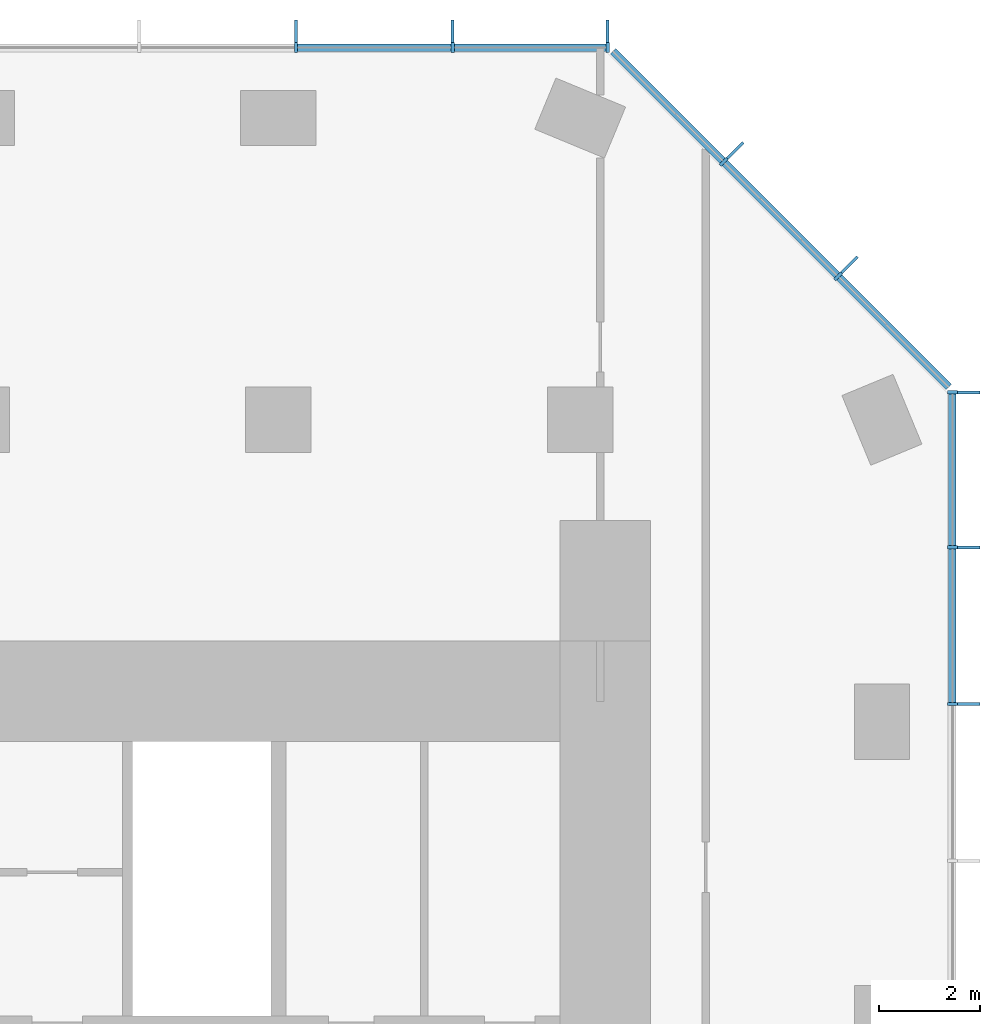
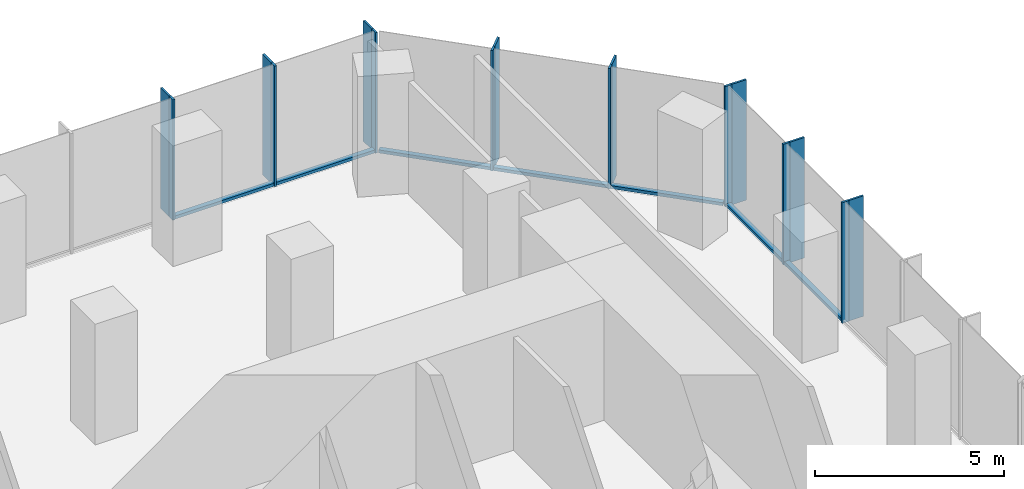
# One storey, part 6 of 11: 23 members, 3 elements without a shape of their own.
"""IFC4 building model written with IfcOpenShell, lengths in metres."""

from ifc_helpers import new_model, si_unit, direction, frame, origin, origin_2d, place, context, subcontext, project, spatial, rectangle, extrude, material, layer, layer_set, material_profile, profile_set, type_object, element, aggregate, save


model = new_model("IFC4")

# Units and contexts
model_context = context("Model", 3, precision=1e-05, world=origin(), true_north=direction((0.0, 1.0)))
body_context = subcontext(model_context, "Body", "Model", "MODEL_VIEW")
ifc_project = project(units=[si_unit("LENGTHUNIT", "METRE"), si_unit("AREAUNIT", "SQUARE_METRE"), si_unit("VOLUMEUNIT", "CUBIC_METRE"), si_unit("PLANEANGLEUNIT", "RADIAN"), si_unit("MASSUNIT", "GRAM", prefix="KILO")], contexts=[model_context])

# Site, building, storey
site_placement = place(None, origin())
site = spatial("IfcSite", under=ifc_project, at=site_placement, CompositionType="ELEMENT")
building_placement = place(site_placement, origin())
building = spatial("IfcBuilding", under=site, at=building_placement, Name="Highveld Stack Headquarters", CompositionType="ELEMENT")
storey_placement = place(building_placement, frame((0.0, 0.0, 227.89990234375)))
storey = spatial("IfcBuildingStorey", under=building, at=storey_placement, Name="L56", CompositionType="ELEMENT", Elevation=227.89990234375)

# Curtain wall, members
ifc_material_1 = material(Name="Aluminium bronze anodised", Category="aluminium")
ifc_layer_1 = layer(ifc_material_1, 0.199951171875)
ifc_layer_set_1 = layer_set([ifc_layer_1], Name="Aluminium bronze anodised")
curtain_wall_type_1 = type_object("IfcCurtainWallType", Name="CW1 TOWER UNITISED CURTAIN WALL", PredefinedType="NOTDEFINED", material=ifc_layer_set_1)
curtain_wall_1_placement = place(storey_placement, origin())
curtain_wall_1 = element("IfcCurtainWall", 1, at=curtain_wall_1_placement, inside=storey, type_object=curtain_wall_type_1, Name="Curtain wall CW1 L56 E", PredefinedType="NOTDEFINED")
ifc_material_2 = material(Name="Aluminium bronze anodised", Category="aluminium")
ifc_material_profile_1 = material_profile(ifc_material_2, rectangle(XDim=0.449951171875, YDim=0.06005859375, at=origin_2d()), Name="FIN 450x60")
ifc_profile_set_1 = profile_set([ifc_material_profile_1], Name="Aluminium bronze anodised")
member_type_1 = type_object("IfcMemberType", Name="CW1 BRONZE FIN 450x60", PredefinedType="USERDEFINED", material=ifc_profile_set_1)
member_1_placement = place(storey_placement, frame((25.72509765625, 12.347900390625, 0.0), z_axis=(0.0, 0.0, 1.0), x_axis=(-1.0, 0.0, 0.0)))
member_1 = element("IfcMember", 2, at=member_1_placement, type_object=member_type_1, Name="CW1 fin L56 9", ObjectType="FIN", PredefinedType="USERDEFINED", context=body_context, shape_type="SweptSolid", body=[
    extrude(rectangle(XDim=0.449951171875, YDim=0.06005859375, at=origin_2d()), origin(), (0.0, 0.0, 1.0), 3.900146484375),
])
member_2_placement = place(storey_placement, frame((25.72509765625, 15.4638671875, 0.0), z_axis=(0.0, 0.0, 1.0), x_axis=(-1.0, 0.0, 0.0)))
member_2 = element("IfcMember", 3, at=member_2_placement, type_object=member_type_1, Name="CW1 fin L56 10", ObjectType="FIN", PredefinedType="USERDEFINED", context=body_context, shape_type="SweptSolid", body=[
    extrude(rectangle(XDim=0.449951171875, YDim=0.06005859375, at=origin_2d()), origin(), (0.0, 0.0, 1.0), 3.900146484375),
])
member_3_placement = place(storey_placement, frame((25.72509765625, 18.54736328125, 0.0), z_axis=(0.0, 0.0, 1.0), x_axis=(-1.0, 0.0, 0.0)))
member_3 = element("IfcMember", 4, at=member_3_placement, type_object=member_type_1, Name="CW1 fin L56 11", ObjectType="FIN", PredefinedType="USERDEFINED", context=body_context, shape_type="SweptSolid", body=[
    extrude(rectangle(XDim=0.449951171875, YDim=0.06005859375, at=origin_2d()), origin(), (0.0, 0.0, 1.0), 3.900146484375),
])

curtain_wall_2_placement = place(storey_placement, origin())
curtain_wall_2 = element("IfcCurtainWall", 5, at=curtain_wall_2_placement, inside=storey, type_object=curtain_wall_type_1, Name="Curtain wall CW1 L56 N", PredefinedType="NOTDEFINED")
member_4_placement = place(storey_placement, frame((18.54736328125, 25.72509765625, 0.0), z_axis=(0.0, 0.0, 1.0), x_axis=(0.0, -1.0, 0.0)))
member_4 = element("IfcMember", 6, at=member_4_placement, type_object=member_type_1, Name="CW1 fin L56 1", ObjectType="FIN", PredefinedType="USERDEFINED", context=body_context, shape_type="SweptSolid", body=[
    extrude(rectangle(XDim=0.449951171875, YDim=0.06005859375, at=origin_2d()), origin(), (0.0, 0.0, 1.0), 3.900146484375),
])
member_5_placement = place(storey_placement, frame((15.4638671875, 25.72509765625, 0.0), z_axis=(0.0, 0.0, 1.0), x_axis=(0.0, -1.0, 0.0)))
member_5 = element("IfcMember", 7, at=member_5_placement, type_object=member_type_1, Name="CW1 fin L56 2", ObjectType="FIN", PredefinedType="USERDEFINED", context=body_context, shape_type="SweptSolid", body=[
    extrude(rectangle(XDim=0.449951171875, YDim=0.06005859375, at=origin_2d()), origin(), (0.0, 0.0, 1.0), 3.900146484375),
])
member_6_placement = place(storey_placement, frame((12.347900390625, 25.72509765625, 0.0), z_axis=(0.0, 0.0, 1.0), x_axis=(0.0, -1.0, 0.0)))
member_6 = element("IfcMember", 8, at=member_6_placement, type_object=member_type_1, Name="CW1 fin L56 3", ObjectType="FIN", PredefinedType="USERDEFINED", context=body_context, shape_type="SweptSolid", body=[
    extrude(rectangle(XDim=0.449951171875, YDim=0.06005859375, at=origin_2d()), origin(), (0.0, 0.0, 1.0), 3.900146484375),
])

# Member
ifc_material_3 = material(Name="Aluminium bronze anodised", Category="aluminium")
ifc_material_profile_2 = material_profile(ifc_material_3, rectangle(XDim=0.199951171875, YDim=0.06494140625, at=origin_2d()), Name="CW1 MULLION 65x200")
ifc_profile_set_2 = profile_set([ifc_material_profile_2], Name="Aluminium bronze anodised")
member_type_2 = type_object("IfcMemberType", Name="CW1 MULLION 65x200", PredefinedType="MULLION", material=ifc_profile_set_2)
member_7_placement = place(storey_placement, frame((25.39990234375, 12.347900390625, 0.0), z_axis=(0.0, 0.0, 1.0), x_axis=(-1.0, 0.0, 0.0)))
member_7 = element("IfcMember", 9, at=member_7_placement, type_object=member_type_2, Name="CW1 mullion L56 9", PredefinedType="MULLION", context=body_context, shape_type="SweptSolid", body=[
    extrude(rectangle(XDim=0.199951171875, YDim=0.06494140625, at=origin_2d()), origin(), (0.0, 0.0, 1.0), 3.900146484375),
])

member_8_placement = place(storey_placement, frame((25.39990234375, 15.4638671875, 0.0), z_axis=(0.0, 0.0, 1.0), x_axis=(-1.0, 0.0, 0.0)))
member_8 = element("IfcMember", 10, at=member_8_placement, type_object=member_type_2, Name="CW1 mullion L56 10", PredefinedType="MULLION", context=body_context, shape_type="SweptSolid", body=[
    extrude(rectangle(XDim=0.199951171875, YDim=0.06494140625, at=origin_2d()), origin(), (0.0, 0.0, 1.0), 3.900146484375),
])

member_9_placement = place(storey_placement, frame((25.39990234375, 18.54736328125, 0.0), z_axis=(0.0, 0.0, 1.0), x_axis=(-1.0, 0.0, 0.0)))
member_9 = element("IfcMember", 11, at=member_9_placement, type_object=member_type_2, Name="CW1 mullion L56 11", PredefinedType="MULLION", context=body_context, shape_type="SweptSolid", body=[
    extrude(rectangle(XDim=0.199951171875, YDim=0.06494140625, at=origin_2d()), origin(), (0.0, 0.0, 1.0), 3.900146484375),
])

member_10_placement = place(storey_placement, frame((18.54736328125, 25.39990234375, 0.0), z_axis=(0.0, 0.0, 1.0), x_axis=(0.0, -1.0, 0.0)))
member_10 = element("IfcMember", 12, at=member_10_placement, type_object=member_type_2, Name="CW1 mullion L56 1", PredefinedType="MULLION", context=body_context, shape_type="SweptSolid", body=[
    extrude(rectangle(XDim=0.199951171875, YDim=0.06494140625, at=origin_2d()), origin(), (0.0, 0.0, 1.0), 3.900146484375),
])

member_11_placement = place(storey_placement, frame((15.4638671875, 25.39990234375, 0.0), z_axis=(0.0, 0.0, 1.0), x_axis=(0.0, -1.0, 0.0)))
member_11 = element("IfcMember", 13, at=member_11_placement, type_object=member_type_2, Name="CW1 mullion L56 2", PredefinedType="MULLION", context=body_context, shape_type="SweptSolid", body=[
    extrude(rectangle(XDim=0.199951171875, YDim=0.06494140625, at=origin_2d()), origin(), (0.0, 0.0, 1.0), 3.900146484375),
])

member_12_placement = place(storey_placement, frame((12.347900390625, 25.39990234375, 0.0), z_axis=(0.0, 0.0, 1.0), x_axis=(0.0, -1.0, 0.0)))
member_12 = element("IfcMember", 14, at=member_12_placement, type_object=member_type_2, Name="CW1 mullion L56 3", PredefinedType="MULLION", context=body_context, shape_type="SweptSolid", body=[
    extrude(rectangle(XDim=0.199951171875, YDim=0.06494140625, at=origin_2d()), origin(), (0.0, 0.0, 1.0), 3.900146484375),
])

ifc_material_4 = material(Name="Aluminium bronze anodised", Category="aluminium")
ifc_material_profile_3 = material_profile(ifc_material_4, rectangle(XDim=0.14990234375, YDim=0.10009765625, at=origin_2d()), Name="CW1 TRANSOM 150x100")
ifc_profile_set_3 = profile_set([ifc_material_profile_3], Name="Aluminium bronze anodised")
member_type_3 = type_object("IfcMemberType", Name="CW1 STACK TRANSOM 150x100", PredefinedType="USERDEFINED", material=ifc_profile_set_3)
member_13_placement = place(storey_placement, frame((25.39990234375, 12.38037109375, 0.050048828125), z_axis=(0.0, 1.0, 0.0), x_axis=(-1.0, 0.0, 0.0)))
member_13 = element("IfcMember", 15, at=member_13_placement, type_object=member_type_3, Name="CW1 transom L56 9.1", ObjectType="TRANSOM", PredefinedType="USERDEFINED", context=body_context, shape_type="SweptSolid", body=[
    extrude(rectangle(XDim=0.14990234375, YDim=0.10009765625, at=origin_2d()), origin(), (0.0, 0.0, 1.0), 3.051025390625),
])

member_14_placement = place(storey_placement, frame((25.39990234375, 15.496337890625, 0.050048828125), z_axis=(0.0, 1.0, 0.0), x_axis=(-1.0, 0.0, 0.0)))
member_14 = element("IfcMember", 16, at=member_14_placement, type_object=member_type_3, Name="CW1 transom L56 10.1", ObjectType="TRANSOM", PredefinedType="USERDEFINED", context=body_context, shape_type="SweptSolid", body=[
    extrude(rectangle(XDim=0.14990234375, YDim=0.10009765625, at=origin_2d()), origin(), (0.0, 0.0, 1.0), 3.0185546875),
])

aggregate(curtain_wall_1, [member_7, member_1, member_8, member_2, member_9, member_3, member_13, member_14])

member_15_placement = place(storey_placement, frame((18.514892578125, 25.39990234375, 0.050048828125), z_axis=(-1.0, 0.0, 0.0), x_axis=(0.0, -1.0, 0.0)))
member_15 = element("IfcMember", 17, at=member_15_placement, type_object=member_type_3, Name="CW1 transom L56 1.1", ObjectType="TRANSOM", PredefinedType="USERDEFINED", context=body_context, shape_type="SweptSolid", body=[
    extrude(rectangle(XDim=0.14990234375, YDim=0.10009765625, at=origin_2d()), origin(), (0.0, 0.0, 1.0), 3.0185546875),
])

member_16_placement = place(storey_placement, frame((15.431396484375, 25.39990234375, 0.050048828125), z_axis=(-1.0, 0.0, 0.0), x_axis=(0.0, -1.0, 0.0)))
member_16 = element("IfcMember", 18, at=member_16_placement, type_object=member_type_3, Name="CW1 transom L56 2.1", ObjectType="TRANSOM", PredefinedType="USERDEFINED", context=body_context, shape_type="SweptSolid", body=[
    extrude(rectangle(XDim=0.14990234375, YDim=0.10009765625, at=origin_2d()), origin(), (0.0, 0.0, 1.0), 3.051025390625),
])

aggregate(curtain_wall_2, [member_10, member_4, member_11, member_5, member_12, member_6, member_15, member_16])

# Curtain wall, members
ifc_material_5 = material(Name="Aluminium bronze anodised", Category="aluminium")
ifc_layer_2 = layer(ifc_material_5, 0.199951171875)
ifc_layer_set_2 = layer_set([ifc_layer_2], Name="Aluminium bronze anodised")
curtain_wall_type_2 = type_object("IfcCurtainWallType", Name="CW2 TOWER CHAMFER UNITISED CURTAIN WALL", PredefinedType="NOTDEFINED", material=ifc_layer_set_2)
curtain_wall_3_placement = place(storey_placement, origin())
curtain_wall_3 = element("IfcCurtainWall", 19, at=curtain_wall_3_placement, inside=storey, type_object=curtain_wall_type_2, Name="Curtain wall CW2 L56 NE", PredefinedType="NOTDEFINED")
ifc_material_6 = material(Name="Aluminium bronze anodised", Category="aluminium")
ifc_material_profile_4 = material_profile(ifc_material_6, rectangle(XDim=0.449951171875, YDim=0.06005859375, at=origin_2d()), Name="FIN 450x60")
ifc_profile_set_4 = profile_set([ifc_material_profile_4], Name="Aluminium bronze anodised")
member_type_4 = type_object("IfcMemberType", Name="CW2 BRONZE FIN 450x60", PredefinedType="USERDEFINED", material=ifc_profile_set_4)
member_17_placement = place(storey_placement, frame((23.3564453125, 21.0830078125, 0.0), z_axis=(0.0, 0.0, 1.0), x_axis=(-0.707106781187, -0.707106781187, 0.0)))
member_17 = element("IfcMember", 20, at=member_17_placement, type_object=member_type_4, Name="CW2 fin L56 1", ObjectType="FIN", PredefinedType="USERDEFINED", context=body_context, shape_type="SweptSolid", body=[
    extrude(rectangle(XDim=0.449951171875, YDim=0.06005859375, at=origin_2d()), origin(), (0.0, 0.0, 1.0), 3.900146484375),
])
member_18_placement = place(storey_placement, frame((21.0830078125, 23.3564453125, 0.0), z_axis=(0.0, 0.0, 1.0), x_axis=(-0.707106781187, -0.707106781187, 0.0)))
member_18 = element("IfcMember", 21, at=member_18_placement, type_object=member_type_4, Name="CW2 fin L56 2", ObjectType="FIN", PredefinedType="USERDEFINED", context=body_context, shape_type="SweptSolid", body=[
    extrude(rectangle(XDim=0.449951171875, YDim=0.06005859375, at=origin_2d()), origin(), (0.0, 0.0, 1.0), 3.900146484375),
])
ifc_material_7 = material(Name="Aluminium bronze anodised", Category="aluminium")
ifc_material_profile_5 = material_profile(ifc_material_7, rectangle(XDim=0.199951171875, YDim=0.06494140625, at=origin_2d()), Name="CW2 MULLION 65x200")
ifc_profile_set_5 = profile_set([ifc_material_profile_5], Name="Aluminium bronze anodised")
member_type_5 = type_object("IfcMemberType", Name="CW2 MULLION 65x200", PredefinedType="MULLION", material=ifc_profile_set_5)
member_19_placement = place(storey_placement, frame((23.126708984375, 20.853271484375, 0.0), z_axis=(0.0, 0.0, 1.0), x_axis=(-0.707106781187, -0.707106781187, 0.0)))
member_19 = element("IfcMember", 22, at=member_19_placement, type_object=member_type_5, Name="CW2 mullion L56 1", PredefinedType="MULLION", context=body_context, shape_type="SweptSolid", body=[
    extrude(rectangle(XDim=0.199951171875, YDim=0.06494140625, at=origin_2d()), origin(), (0.0, 0.0, 1.0), 3.900146484375),
])
member_20_placement = place(storey_placement, frame((20.853271484375, 23.126708984375, 0.0), z_axis=(0.0, 0.0, 1.0), x_axis=(-0.707106781187, -0.707106781187, 0.0)))
member_20 = element("IfcMember", 23, at=member_20_placement, type_object=member_type_5, Name="CW2 mullion L56 2", PredefinedType="MULLION", context=body_context, shape_type="SweptSolid", body=[
    extrude(rectangle(XDim=0.199951171875, YDim=0.06494140625, at=origin_2d()), origin(), (0.0, 0.0, 1.0), 3.900146484375),
])
ifc_material_8 = material(Name="Aluminium bronze anodised", Category="aluminium")
ifc_material_profile_6 = material_profile(ifc_material_8, rectangle(XDim=0.14990234375, YDim=0.10009765625, at=origin_2d()), Name="CW2 TRANSOM 150x100")
ifc_profile_set_6 = profile_set([ifc_material_profile_6], Name="Aluminium bronze anodised")
member_type_6 = type_object("IfcMemberType", Name="CW2 STACK TRANSOM 150x100", PredefinedType="USERDEFINED", material=ifc_profile_set_6)
member_21_placement = place(storey_placement, frame((25.329345703125, 18.650634765625, 0.050048828125), z_axis=(-0.707106781187, 0.707106781187, 0.0), x_axis=(-0.707106781187, -0.707106781187, 0.0)))
member_21 = element("IfcMember", 24, at=member_21_placement, type_object=member_type_6, Name="CW2 transom L56 1.1", ObjectType="TRANSOM", PredefinedType="USERDEFINED", context=body_context, shape_type="SweptSolid", body=[
    extrude(rectangle(XDim=0.14990234375, YDim=0.10009765625, at=origin_2d()), origin(), (0.0, 0.0, 1.0), 3.08251953125),
])
member_22_placement = place(storey_placement, frame((23.103759765625, 20.876220703125, 0.050048828125), z_axis=(-0.707106781187, 0.707106781187, 0.0), x_axis=(-0.707106781187, -0.707106781187, 0.0)))
member_22 = element("IfcMember", 25, at=member_22_placement, type_object=member_type_6, Name="CW2 transom L56 2.1", ObjectType="TRANSOM", PredefinedType="USERDEFINED", context=body_context, shape_type="SweptSolid", body=[
    extrude(rectangle(XDim=0.14990234375, YDim=0.10009765625, at=origin_2d()), origin(), (0.0, 0.0, 1.0), 3.150146484375),
])
member_23_placement = place(storey_placement, frame((20.830322265625, 23.149658203125, 0.050048828125), z_axis=(-0.707106781187, 0.707106781187, 0.0), x_axis=(-0.707106781187, -0.707106781187, 0.0)))
member_23 = element("IfcMember", 26, at=member_23_placement, type_object=member_type_6, Name="CW2 transom L56 3.1", ObjectType="TRANSOM", PredefinedType="USERDEFINED", context=body_context, shape_type="SweptSolid", body=[
    extrude(rectangle(XDim=0.14990234375, YDim=0.10009765625, at=origin_2d()), origin(), (0.0, 0.0, 1.0), 3.08251953125),
])
aggregate(curtain_wall_3, [member_19, member_17, member_20, member_18, member_21, member_22, member_23])

save(model, "model.ifc")
